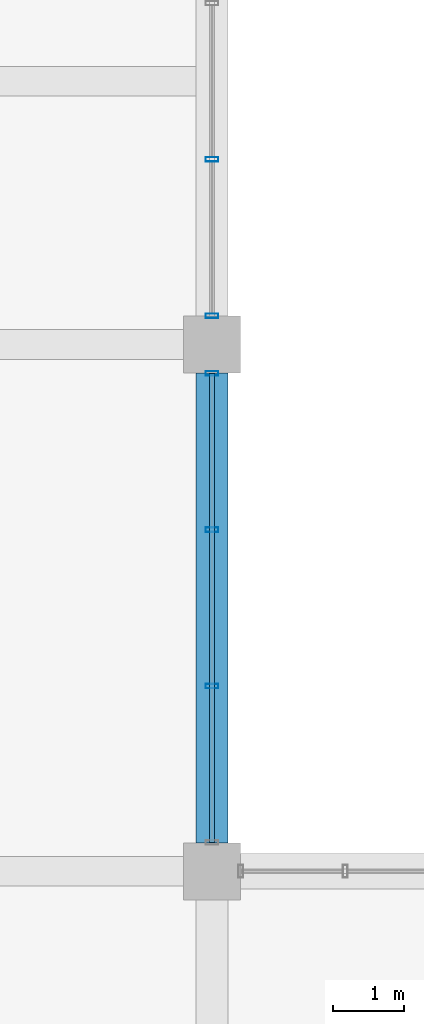
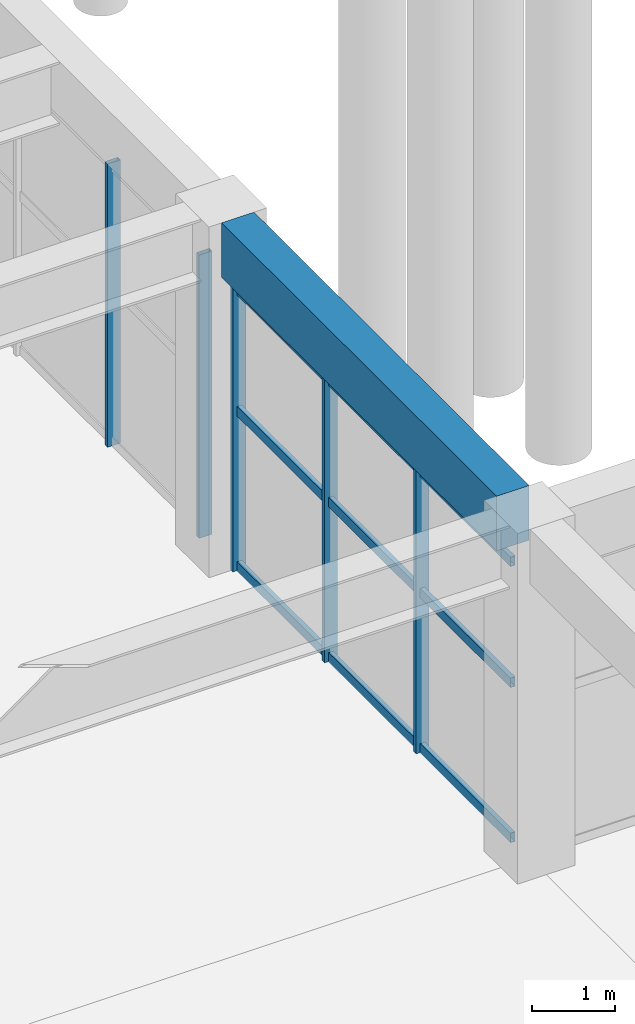
# One storey, part 44 of 140: 8 members, 1 beam, 2 elements without a shape of their own.
"""IFC4 building model written with IfcOpenShell, lengths in metres."""

from ifc_helpers import new_model, si_unit, direction, frame, origin, origin_2d, place, context, subcontext, project, spatial, rectangle, hollow_rectangle, extrude, material, material_profile, profile_set, type_object, element, aggregate, save


model = new_model("IFC4")

# Units and contexts
model_context = context("Model", 3, precision=1e-05, world=origin(), true_north=direction((0.0, 1.0)))
body_context = subcontext(model_context, "Body", "Model", "MODEL_VIEW")
ifc_project = project(units=[si_unit("LENGTHUNIT", "METRE"), si_unit("AREAUNIT", "SQUARE_METRE"), si_unit("VOLUMEUNIT", "CUBIC_METRE"), si_unit("PLANEANGLEUNIT", "RADIAN"), si_unit("MASSUNIT", "GRAM", prefix="KILO")], contexts=[model_context])

# Site, building, storey
site_placement = place(None, origin())
site = spatial("IfcSite", under=ifc_project, at=site_placement, CompositionType="ELEMENT")
building_placement = place(site_placement, origin())
building = spatial("IfcBuilding", under=site, at=building_placement, Name="Cimatlan Art Gallery", CompositionType="ELEMENT")
storey_placement = place(building_placement, origin())
storey = spatial("IfcBuildingStorey", under=building, at=storey_placement, Name="L00", CompositionType="ELEMENT", Elevation=0.0)

# Beam
ifc_material_1 = material(Name="Concrete C40/50", Category="concrete")
ifc_material_profile_1 = material_profile(ifc_material_1, rectangle(XDim=0.449951171875, YDim=0.800048828125, at=origin_2d()), Name="RC450X800")
ifc_profile_set_1 = profile_set([ifc_material_profile_1], Name="Concrete C40/50")
beam_type = type_object("IfcBeamType", Name="BM-RC-450X800", PredefinedType="BEAM", material=ifc_profile_set_1)
beam_placement = place(storey_placement, frame((99.199951171875, 39.10009765625, 4.735107421875), z_axis=(0.0, 1.0, 0.0), x_axis=(-1.0, 0.0, 0.0)))
element("IfcBeam", 1, at=beam_placement, inside=storey, type_object=beam_type, Name="BM-Y-L00-12-05", PredefinedType="BEAM", context=body_context, shape_type="SweptSolid", body=[
    extrude(rectangle(XDim=0.449951171875, YDim=0.800048828125, at=origin_2d()), origin(), (0.0, 0.0, 1.0), 6.599853515625),
])

# Curtain wall, members
ifc_material_2 = material(Name="Anodised bronze unitised curtain wall")
curtain_wall_type_1 = type_object("IfcCurtainWallType", Name="CW-V-06592X04163-B3", PredefinedType="NOTDEFINED", material=ifc_material_2)
curtain_wall_1_placement = place(storey_placement, origin())
curtain_wall_1 = element("IfcCurtainWall", 2, at=curtain_wall_1_placement, inside=storey, type_object=curtain_wall_type_1, Name="CW-L00-11-05-E", PredefinedType="NOTDEFINED")
ifc_material_3 = material(Name="Anodised bronze aluminium 6063-T6", Category="aluminium")
ifc_material_profile_2 = material_profile(ifc_material_3, hollow_rectangle(XDim=0.06494140625, YDim=0.179931640625, WallThickness=0.00390625, at=origin_2d()), Name="ALU65X180X4")
ifc_profile_set_2 = profile_set([ifc_material_profile_2], Name="Anodised bronze aluminium 6063-T6")
member_type_1 = type_object("IfcMemberType", Name="CW-MUL-180", PredefinedType="MULLION", material=ifc_profile_set_2)
member_1_placement = place(storey_placement, frame((99.199951171875, 45.696044921875, 0.0), z_axis=(0.0, 0.0, 1.0), x_axis=(0.0, 1.0, 0.0)))
member_1 = element("IfcMember", 3, at=member_1_placement, type_object=member_type_1, Name="CW-L00-11-05-E-M1", PredefinedType="MULLION", context=body_context, shape_type="SweptSolid", body=[
    extrude(hollow_rectangle(XDim=0.06494140625, YDim=0.179931640625, WallThickness=0.00390625, at=origin_2d()), origin(), (0.0, 0.0, 1.0), 4.1630859375),
])
member_2_placement = place(storey_placement, frame((99.199951171875, 43.498779296875, 0.0), z_axis=(0.0, 0.0, 1.0), x_axis=(0.0, 1.0, 0.0)))
member_2 = element("IfcMember", 4, at=member_2_placement, type_object=member_type_1, Name="CW-L00-11-05-E-M2", PredefinedType="MULLION", context=body_context, shape_type="SweptSolid", body=[
    extrude(hollow_rectangle(XDim=0.06494140625, YDim=0.179931640625, WallThickness=0.00390625, at=origin_2d()), origin(), (0.0, 0.0, 1.0), 4.1630859375),
])
member_3_placement = place(storey_placement, frame((99.199951171875, 41.30126953125, 0.0), z_axis=(0.0, 0.0, 1.0), x_axis=(0.0, 1.0, 0.0)))
member_3 = element("IfcMember", 5, at=member_3_placement, type_object=member_type_1, Name="CW-L00-11-05-E-M3", PredefinedType="MULLION", context=body_context, shape_type="SweptSolid", body=[
    extrude(hollow_rectangle(XDim=0.06494140625, YDim=0.179931640625, WallThickness=0.00390625, at=origin_2d()), origin(), (0.0, 0.0, 1.0), 4.1630859375),
])

curtain_wall_type_2 = type_object("IfcCurtainWallType", Name="CW-V-06592X04148-B3", PredefinedType="NOTDEFINED", material=ifc_material_2)
curtain_wall_2_placement = place(storey_placement, origin())
curtain_wall_2 = element("IfcCurtainWall", 6, at=curtain_wall_2_placement, inside=storey, type_object=curtain_wall_type_2, Name="CW-L00-11-06-E", PredefinedType="NOTDEFINED")
member_4_placement = place(storey_placement, frame((99.199951171875, 48.701416015625, 0.0), z_axis=(0.0, 0.0, 1.0), x_axis=(0.0, 1.0, 0.0)))
member_4 = element("IfcMember", 7, at=member_4_placement, type_object=member_type_1, Name="CW-L00-11-06-E-M3", PredefinedType="MULLION", context=body_context, shape_type="SweptSolid", body=[
    extrude(hollow_rectangle(XDim=0.06494140625, YDim=0.179931640625, WallThickness=0.00390625, at=origin_2d()), origin(), (0.0, 0.0, 1.0), 4.14794921875),
])
member_5_placement = place(storey_placement, frame((99.199951171875, 46.50390625, 0.0), z_axis=(0.0, 0.0, 1.0), x_axis=(0.0, 1.0, 0.0)))
member_5 = element("IfcMember", 8, at=member_5_placement, type_object=member_type_1, Name="CW-L00-11-06-E-M4", PredefinedType="MULLION", context=body_context, shape_type="SweptSolid", body=[
    extrude(hollow_rectangle(XDim=0.06494140625, YDim=0.179931640625, WallThickness=0.00390625, at=origin_2d()), origin(), (0.0, 0.0, 1.0), 4.14794921875),
])
aggregate(curtain_wall_2, [member_4, member_5])

# Member
ifc_material_profile_3 = material_profile(ifc_material_3, hollow_rectangle(XDim=0.06494140625, YDim=0.139892578125, WallThickness=0.00390625, at=origin_2d()), Name="ALU65X140X4")
ifc_profile_set_3 = profile_set([ifc_material_profile_3], Name="Anodised bronze aluminium 6063-T6")
member_type_2 = type_object("IfcMemberType", Name="CW-TRN-140", PredefinedType="USERDEFINED", material=ifc_profile_set_3)
member_6_placement = place(storey_placement, frame((99.199951171875, 45.696044921875, 0.06005859375), z_axis=(0.0, -1.0, 0.0), x_axis=(1.0, 0.0, 0.0)))
member_6 = element("IfcMember", 9, at=member_6_placement, type_object=member_type_2, Name="CW-L00-11-05-E-T1", ObjectType="TRANSOM", PredefinedType="USERDEFINED", context=body_context, shape_type="SweptSolid", body=[
    extrude(hollow_rectangle(XDim=0.06494140625, YDim=0.139892578125, WallThickness=0.00390625, at=origin_2d()), origin(), (0.0, 0.0, 1.0), 6.592041015625),
])

member_7_placement = place(storey_placement, frame((99.199951171875, 45.696044921875, 2.331298828125), z_axis=(0.0, -1.0, 0.0), x_axis=(1.0, 0.0, 0.0)))
member_7 = element("IfcMember", 10, at=member_7_placement, type_object=member_type_2, Name="CW-L00-11-05-E-T2", ObjectType="TRANSOM", PredefinedType="USERDEFINED", context=body_context, shape_type="SweptSolid", body=[
    extrude(hollow_rectangle(XDim=0.06494140625, YDim=0.139892578125, WallThickness=0.00390625, at=origin_2d()), origin(), (0.0, 0.0, 1.0), 6.592041015625),
])

member_8_placement = place(storey_placement, frame((99.199951171875, 45.696044921875, 4.10302734375), z_axis=(0.0, -1.0, 0.0), x_axis=(1.0, 0.0, 0.0)))
member_8 = element("IfcMember", 11, at=member_8_placement, type_object=member_type_2, Name="CW-L00-11-05-E-T3", ObjectType="TRANSOM", PredefinedType="USERDEFINED", context=body_context, shape_type="SweptSolid", body=[
    extrude(hollow_rectangle(XDim=0.06494140625, YDim=0.139892578125, WallThickness=0.00390625, at=origin_2d()), origin(), (0.0, 0.0, 1.0), 6.592041015625),
])

aggregate(curtain_wall_1, [member_1, member_2, member_3, member_6, member_7, member_8])

save(model, "model.ifc")
